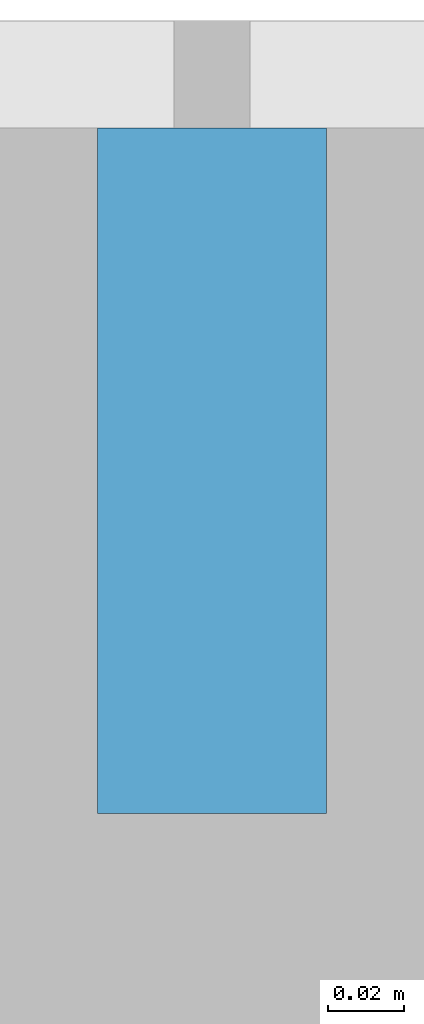
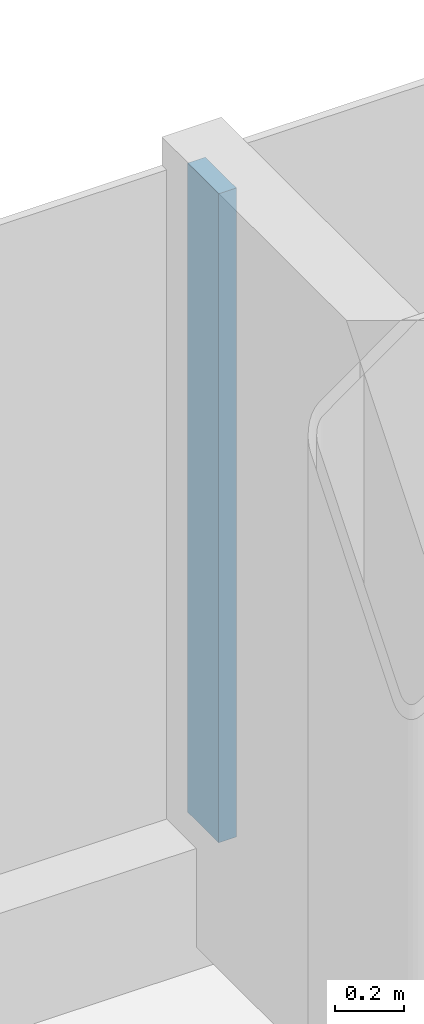
# One storey, part 9 of 26: 1 member, 1 element without a shape of its own.
"""IFC4 building model written with IfcOpenShell, lengths in metres."""

from ifc_helpers import new_model, si_unit, direction, frame, origin, origin_2d, place, context, subcontext, project, spatial, rectangle, extrude, material, layer, layer_set, material_profile, profile_set, type_object, element, aggregate, save


model = new_model("IFC4")

# Units and contexts
model_context = context("Model", 3, precision=1e-05, world=origin(), true_north=direction((0.0, 1.0)))
body_context = subcontext(model_context, "Body", "Model", "MODEL_VIEW")
ifc_project = project(units=[si_unit("LENGTHUNIT", "METRE"), si_unit("AREAUNIT", "SQUARE_METRE"), si_unit("VOLUMEUNIT", "CUBIC_METRE"), si_unit("PLANEANGLEUNIT", "RADIAN"), si_unit("MASSUNIT", "GRAM", prefix="KILO")], contexts=[model_context])

# Site, building, storey
site_placement = place(None, origin())
site = spatial("IfcSite", under=ifc_project, at=site_placement, CompositionType="ELEMENT")
building_placement = place(site_placement, origin())
building = spatial("IfcBuilding", under=site, at=building_placement, Name="Hakoniwa Tower and Hamabe Station Hall", CompositionType="ELEMENT")
storey_placement = place(building_placement, frame((0.0, 0.0, 209.0)))
storey = spatial("IfcBuildingStorey", under=building, at=storey_placement, Name="L59", CompositionType="ELEMENT", Elevation=209.0)

# Curtain wall, member
ifc_material_1 = material(Name="Dark low-e laminated glass", Category="glass")
ifc_layer = layer(ifc_material_1, 0.199951171875)
ifc_layer_set = layer_set([ifc_layer], Name="CW-1 UNITISED GUEST")
curtain_wall_type = type_object("IfcCurtainWallType", Name="CW-1 UNITISED GUEST", PredefinedType="NOTDEFINED", material=ifc_layer_set)
curtain_wall_placement = place(storey_placement, origin())
curtain_wall = element("IfcCurtainWall", 1, at=curtain_wall_placement, inside=storey, type_object=curtain_wall_type, Name="CW-1 curtain wall", PredefinedType="NOTDEFINED")
ifc_material_2 = material(Name="Aluminium 6063-T5 black anodised", Category="aluminium")
ifc_material_profile = material_profile(ifc_material_2, rectangle(XDim=0.06005859375, YDim=0.179931640625, at=origin_2d()), Name="CW-1 MULLION 60X180")
ifc_profile_set = profile_set([ifc_material_profile], Name="Aluminium 6063-T5 black anodised")
member_type = type_object("IfcMemberType", Name="CW-1 MULLION 60X180", PredefinedType="MULLION", material=ifc_profile_set)
member_placement = place(storey_placement, frame((16.800048828125, 20.431884765625, 0.35009765625), z_axis=(0.0, 0.0, 1.0), x_axis=(-1.0, 0.0, 0.0)))
member = element("IfcMember", 2, at=member_placement, type_object=member_type, Name="CW-1 mullion", PredefinedType="MULLION", context=body_context, shape_type="SweptSolid", body=[
    extrude(rectangle(XDim=0.06005859375, YDim=0.179931640625, at=origin_2d()), origin(), (0.0, 0.0, 1.0), 2.2998046875),
])
aggregate(curtain_wall, [member])

save(model, "model.ifc")
